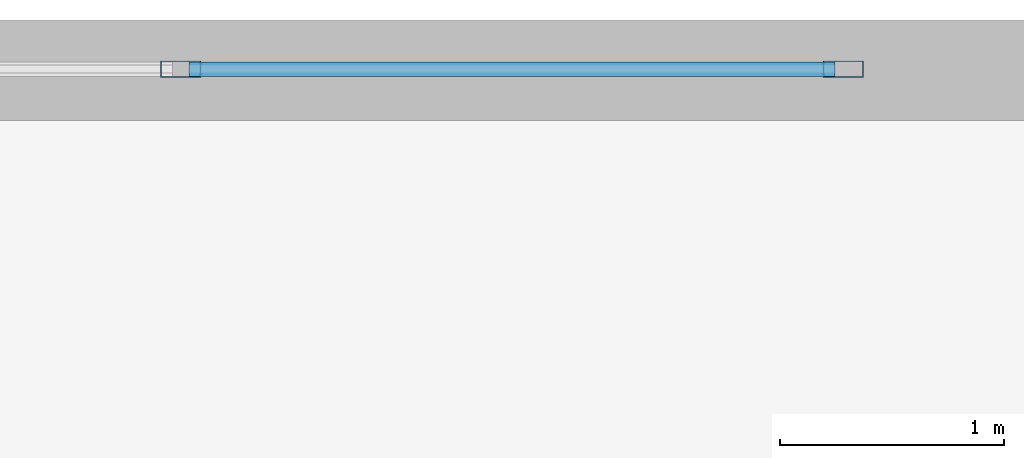
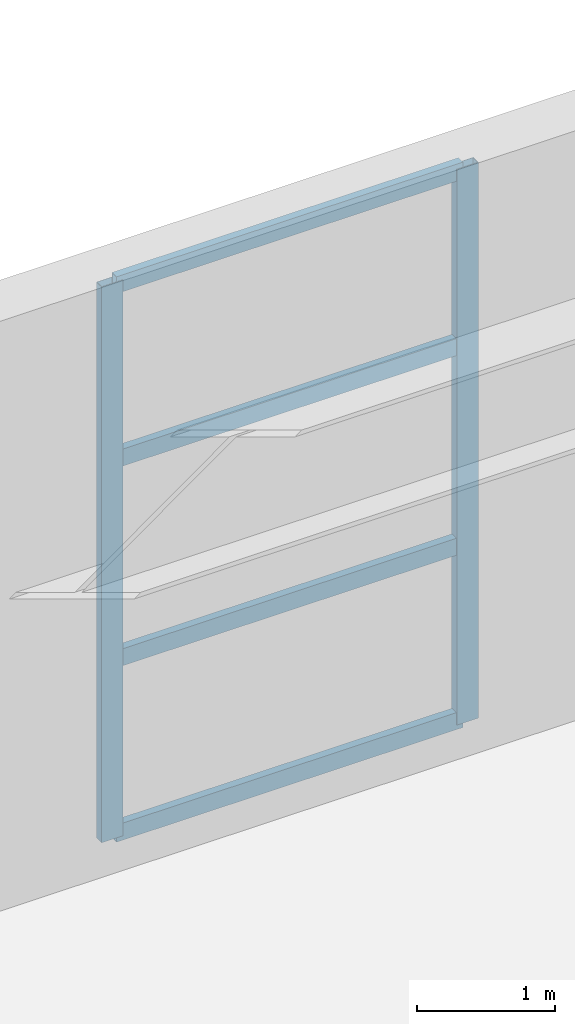
# One storey, part 20 of 35: 6 members, 1 element without a shape of its own.
"""IFC4 building model written with IfcOpenShell, lengths in metres."""

from ifc_helpers import new_model, si_unit, direction, frame, origin, origin_2d, place, context, subcontext, project, spatial, hollow_rectangle, extrude, material, layer, layer_set, material_profile, profile_set, type_object, element, aggregate, save


model = new_model("IFC4")

# Units and contexts
model_context = context("Model", 3, precision=1e-05, world=origin(), true_north=direction((0.0, 1.0)))
body_context = subcontext(model_context, "Body", "Model", "MODEL_VIEW")
ifc_project = project(units=[si_unit("LENGTHUNIT", "METRE"), si_unit("AREAUNIT", "SQUARE_METRE"), si_unit("VOLUMEUNIT", "CUBIC_METRE"), si_unit("PLANEANGLEUNIT", "RADIAN"), si_unit("MASSUNIT", "GRAM", prefix="KILO")], contexts=[model_context])

# Site, building, storey
site_placement = place(None, origin())
site = spatial("IfcSite", under=ifc_project, at=site_placement, CompositionType="ELEMENT")
building_placement = place(site_placement, origin())
building = spatial("IfcBuilding", under=site, at=building_placement, Name="Qiaolan Cultural Towers", CompositionType="ELEMENT")
storey_placement = place(building_placement, frame((0.0, 0.0, 6.0)))
storey = spatial("IfcBuildingStorey", under=building, at=storey_placement, Name="L01", CompositionType="ELEMENT", Elevation=6.0)

# Curtain wall, members
ifc_material_1 = material(Name="Unitized Anodized Aluminium Curtain Wall System", Category="aluminium")
ifc_layer = layer(ifc_material_1, 0.199951171875)
ifc_layer_set = layer_set([ifc_layer], Name="Unitized Anodized Aluminium Curtain Wall System")
curtain_wall_type = type_object("IfcCurtainWallType", Name="CWS-01", PredefinedType="NOTDEFINED", material=ifc_layer_set)
curtain_wall_placement = place(storey_placement, origin())
curtain_wall = element("IfcCurtainWall", 1, at=curtain_wall_placement, inside=storey, type_object=curtain_wall_type, Name="L01 North Atrium Curtain Wall", PredefinedType="NOTDEFINED")
ifc_material_2 = material(Name="Extruded Aluminium 6063-T6", Category="aluminium")
ifc_material_profile_1 = material_profile(ifc_material_2, hollow_rectangle(XDim=0.074951171875, YDim=0.179931640625, WallThickness=0.00390625, at=origin_2d()), Name="CWM-180x75x4")
ifc_profile_set_1 = profile_set([ifc_material_profile_1], Name="Extruded Aluminium 6063-T6")
member_type_1 = type_object("IfcMemberType", Name="CWS-01-MUL", PredefinedType="MULLION", material=ifc_profile_set_1)
member_1_placement = place(storey_placement, frame((59.0, 67.780029296875, 0.14990234375), z_axis=(0.0, 0.0, 1.0), x_axis=(0.0, 1.0, 0.0)))
member_1 = element("IfcMember", 2, at=member_1_placement, type_object=member_type_1, Name="CW-1 mullion 4", PredefinedType="MULLION", context=body_context, shape_type="SweptSolid", body=[
    extrude(hollow_rectangle(XDim=0.074951171875, YDim=0.179931640625, WallThickness=0.00390625, at=origin_2d()), origin(), (0.0, 0.0, 1.0), 4.900146484375),
])
member_2_placement = place(storey_placement, frame((61.96240234375, 67.780029296875, 0.14990234375), z_axis=(0.0, 0.0, 1.0), x_axis=(0.0, 1.0, 0.0)))
member_2 = element("IfcMember", 3, at=member_2_placement, type_object=member_type_1, Name="CW-1 mullion 5", PredefinedType="MULLION", context=body_context, shape_type="SweptSolid", body=[
    extrude(hollow_rectangle(XDim=0.074951171875, YDim=0.179931640625, WallThickness=0.00390625, at=origin_2d()), origin(), (0.0, 0.0, 1.0), 4.900146484375),
])
ifc_material_3 = material(Name="Extruded Aluminium 6063-T6", Category="aluminium")
ifc_material_profile_2 = material_profile(ifc_material_3, hollow_rectangle(XDim=0.06494140625, YDim=0.14990234375, WallThickness=0.00390625, at=origin_2d()), Name="CWT-150x65x4")
ifc_profile_set_2 = profile_set([ifc_material_profile_2], Name="Extruded Aluminium 6063-T6")
member_type_2 = type_object("IfcMemberType", Name="CWS-01-TRN", PredefinedType="USERDEFINED", material=ifc_profile_set_2)
member_3_placement = place(storey_placement, frame((59.03759765625, 67.780029296875, 0.1826171875), z_axis=(1.0, 0.0, 0.0), x_axis=(0.0, 1.0, 0.0)))
member_3 = element("IfcMember", 4, at=member_3_placement, type_object=member_type_2, Name="CW-1 transom 4.1", ObjectType="TRANSOM", PredefinedType="USERDEFINED", context=body_context, shape_type="SweptSolid", body=[
    extrude(hollow_rectangle(XDim=0.06494140625, YDim=0.14990234375, WallThickness=0.00390625, at=origin_2d()), origin(), (0.0, 0.0, 1.0), 2.887451171875),
])
member_4_placement = place(storey_placement, frame((59.03759765625, 67.780029296875, 1.719970703125), z_axis=(1.0, 0.0, 0.0), x_axis=(0.0, 1.0, 0.0)))
member_4 = element("IfcMember", 5, at=member_4_placement, type_object=member_type_2, Name="CW-1 transom 4.2", ObjectType="TRANSOM", PredefinedType="USERDEFINED", context=body_context, shape_type="SweptSolid", body=[
    extrude(hollow_rectangle(XDim=0.06494140625, YDim=0.14990234375, WallThickness=0.00390625, at=origin_2d()), origin(), (0.0, 0.0, 1.0), 2.887451171875),
])
member_5_placement = place(storey_placement, frame((59.03759765625, 67.780029296875, 3.47998046875), z_axis=(1.0, 0.0, 0.0), x_axis=(0.0, 1.0, 0.0)))
member_5 = element("IfcMember", 6, at=member_5_placement, type_object=member_type_2, Name="CW-1 transom 4.3", ObjectType="TRANSOM", PredefinedType="USERDEFINED", context=body_context, shape_type="SweptSolid", body=[
    extrude(hollow_rectangle(XDim=0.06494140625, YDim=0.14990234375, WallThickness=0.00390625, at=origin_2d()), origin(), (0.0, 0.0, 1.0), 2.887451171875),
])
member_6_placement = place(storey_placement, frame((59.03759765625, 67.780029296875, 5.017578125), z_axis=(1.0, 0.0, 0.0), x_axis=(0.0, 1.0, 0.0)))
member_6 = element("IfcMember", 7, at=member_6_placement, type_object=member_type_2, Name="CW-1 transom 4.4", ObjectType="TRANSOM", PredefinedType="USERDEFINED", context=body_context, shape_type="SweptSolid", body=[
    extrude(hollow_rectangle(XDim=0.06494140625, YDim=0.14990234375, WallThickness=0.00390625, at=origin_2d()), origin(), (0.0, 0.0, 1.0), 2.887451171875),
])
aggregate(curtain_wall, [member_1, member_2, member_3, member_4, member_5, member_6])

save(model, "model.ifc")
